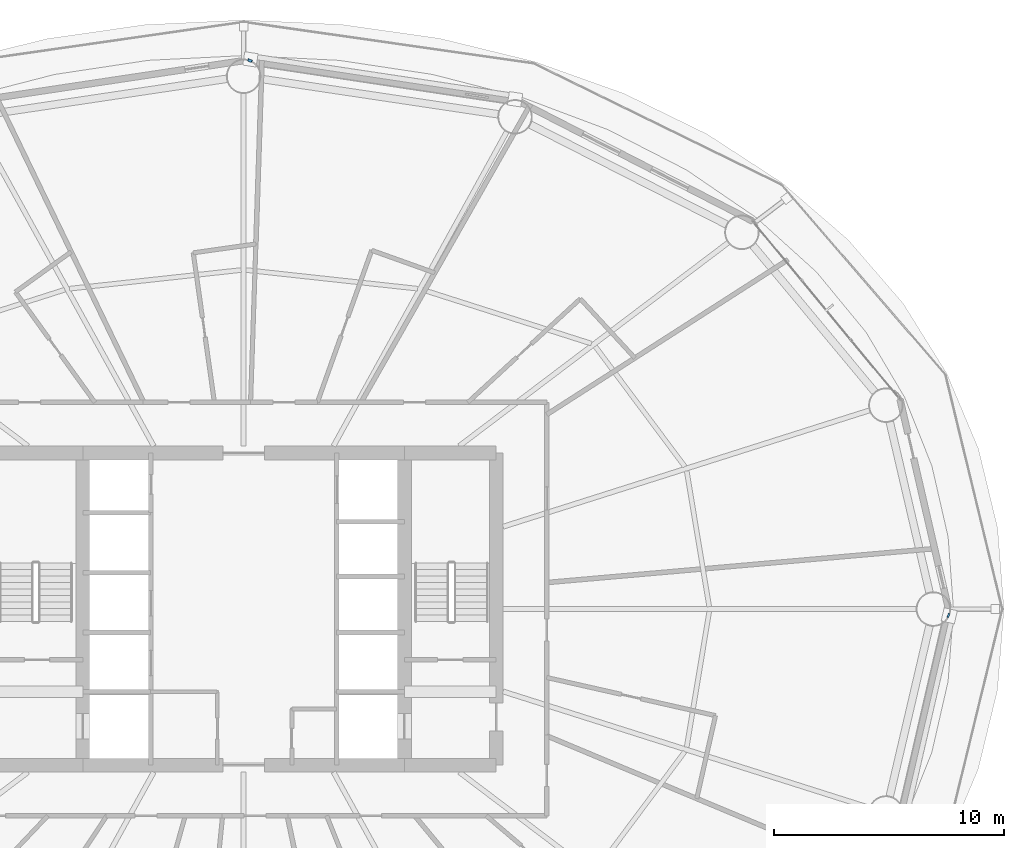
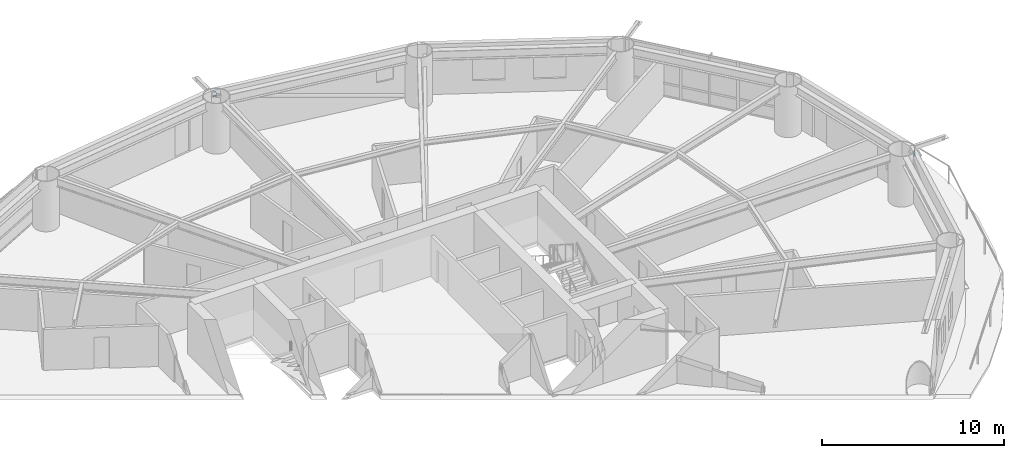
# One storey, part 17 of 28: 2 members.
"""IFC4 building model written with IfcOpenShell, lengths in metres."""

from ifc_helpers import new_model, si_unit, direction, frame, origin, origin_2d, place, context, subcontext, project, spatial, hollow_rectangle, extrude, material, material_profile, profile_set, type_object, element, save


model = new_model("IFC4")

# Units and contexts
model_context = context("Model", 3, precision=1e-05, world=origin(), true_north=direction((0.0, 1.0)))
body_context = subcontext(model_context, "Body", "Model", "MODEL_VIEW")
ifc_project = project(units=[si_unit("LENGTHUNIT", "METRE"), si_unit("AREAUNIT", "SQUARE_METRE"), si_unit("VOLUMEUNIT", "CUBIC_METRE"), si_unit("PLANEANGLEUNIT", "RADIAN"), si_unit("MASSUNIT", "GRAM", prefix="KILO")], contexts=[model_context])

# Site, building, storey
site_placement = place(None, origin())
site = spatial("IfcSite", under=ifc_project, at=site_placement, CompositionType="ELEMENT")
building_placement = place(site_placement, origin())
building = spatial("IfcBuilding", under=site, at=building_placement, Name="Sarneth Arch Tower", CompositionType="ELEMENT")
storey_placement = place(building_placement, frame((0.0, 0.0, 31.800048828125)))
storey = spatial("IfcBuildingStorey", under=building, at=storey_placement, Name="L06", CompositionType="ELEMENT", Elevation=31.800048828125)

# Members
ifc_material = material(Name="Steel S355", Category="steel")
ifc_material_profile = material_profile(ifc_material, hollow_rectangle(XDim=0.199951171875, YDim=0.300048828125, WallThickness=0.012451171875, InnerFilletRadius=0.018798828125, OuterFilletRadius=0.03125, at=origin_2d()), Name="RHS300x200x12.5")
ifc_profile_set = profile_set([ifc_material_profile], Name="Steel S355")
member_type = type_object("IfcMemberType", Name="MEM-CANT-STRUT", PredefinedType="STRUT", material=ifc_profile_set)
member_1_placement = place(storey_placement, frame((48.25244140625, 65.825927734375, 3.0068359375), z_axis=(0.374599922936, 0.927186549588, 0.0), x_axis=(-0.927186549588, 0.374599922936, 0.0)))
element("IfcMember", 1, at=member_1_placement, inside=storey, type_object=member_type, Name="L06 Exoskeleton brace node strut 04B", PredefinedType="STRUT", context=body_context, shape_type="SweptSolid", body=[
    extrude(hollow_rectangle(XDim=0.199951171875, YDim=0.300048828125, WallThickness=0.012451171875, InnerFilletRadius=0.018798828125, OuterFilletRadius=0.03125, at=origin_2d()), origin(), (0.0, 0.0, 1.0), 0.117919921875),
])
member_2_placement = place(storey_placement, frame((78.656494140625, 41.73681640625, 3.0068359375), z_axis=(0.921327592233, -0.388787175446, 0.0), x_axis=(0.388787175446, 0.921327592233, 0.0)))
element("IfcMember", 2, at=member_2_placement, inside=storey, type_object=member_type, Name="L06 Exoskeleton brace node strut 16B", PredefinedType="STRUT", context=body_context, shape_type="SweptSolid", body=[
    extrude(hollow_rectangle(XDim=0.199951171875, YDim=0.300048828125, WallThickness=0.012451171875, InnerFilletRadius=0.018798828125, OuterFilletRadius=0.03125, at=origin_2d()), origin(), (0.0, 0.0, 1.0), 0.07470703125),
])

save(model, "model.ifc")
